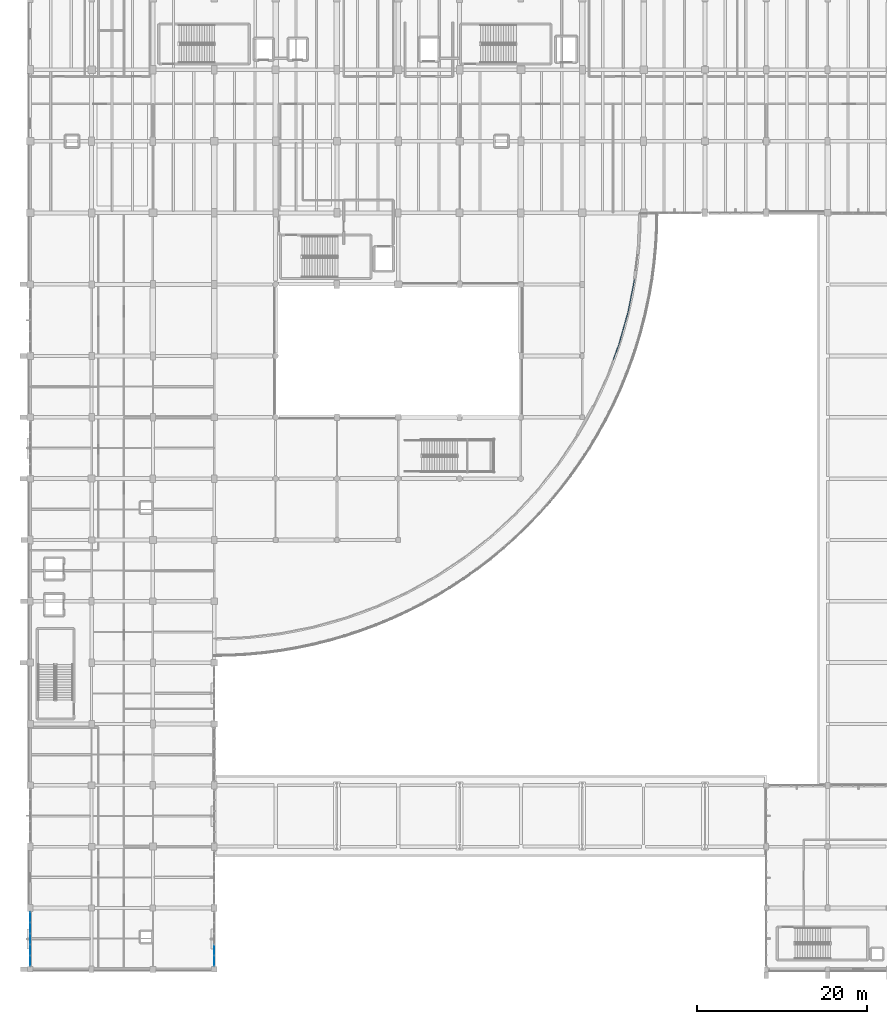
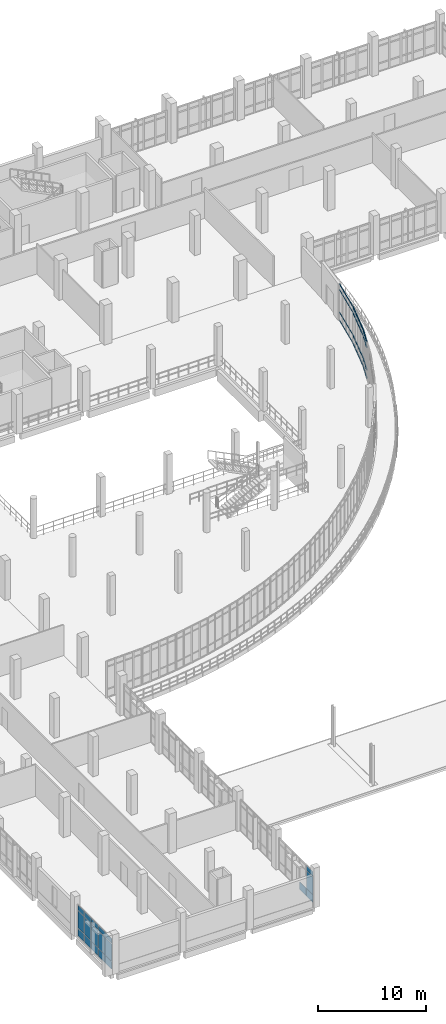
# One storey, part 91 of 134: 40 members, 19 plates, 5 elements without a shape of their own.
"""IFC4 building model written with IfcOpenShell, lengths in metres."""

from ifc_helpers import new_model, si_unit, direction, frame, origin, origin_2d, place, context, subcontext, project, spatial, rectangle, hollow_rectangle, extrude, material, layer, layer_set, material_profile, profile_set, type_object, element, aggregate, save


model = new_model("IFC4")

# Units and contexts
model_context = context("Model", 3, precision=1e-05, world=origin(), true_north=direction((0.0, 1.0)))
body_context = subcontext(model_context, "Body", "Model", "MODEL_VIEW")
ifc_project = project(units=[si_unit("LENGTHUNIT", "METRE"), si_unit("AREAUNIT", "SQUARE_METRE"), si_unit("VOLUMEUNIT", "CUBIC_METRE"), si_unit("PLANEANGLEUNIT", "RADIAN"), si_unit("MASSUNIT", "GRAM", prefix="KILO")], contexts=[model_context])

# Site, building, storey
site_placement = place(None, origin())
site = spatial("IfcSite", under=ifc_project, at=site_placement, CompositionType="ELEMENT")
building_placement = place(site_placement, origin())
building = spatial("IfcBuilding", under=site, at=building_placement, Name="Kalluvel Institute of Natural Sciences", CompositionType="ELEMENT")
storey_placement = place(building_placement, frame((0.0, 0.0, 5.39990234375)))
storey = spatial("IfcBuildingStorey", under=building, at=storey_placement, Name="L01", CompositionType="ELEMENT", Elevation=5.39990234375)

# Curtain wall, members
ifc_material_1 = material(Name="Aluminium AW-6063 T6", Category="aluminium")
curtain_wall_type_1 = type_object("IfcCurtainWallType", Name="CW-ATR-ARC", PredefinedType="USERDEFINED", material=ifc_material_1)
curtain_wall_1_placement = place(storey_placement, origin())
curtain_wall_1 = element("IfcCurtainWall", 1, at=curtain_wall_1_placement, inside=storey, type_object=curtain_wall_type_1, Name="L01 Gothic lancet curtain wall CWA-L01-X817-Y837", ObjectType="UNITISED LANCET FACADE", PredefinedType="USERDEFINED")
ifc_material_profile = material_profile(ifc_material_1, hollow_rectangle(XDim=0.06005859375, YDim=0.1201171875, WallThickness=0.00390625, at=origin_2d()), Name="CWT 60x120")
ifc_profile_set = profile_set([ifc_material_profile], Name="Aluminium AW-6063 T6")
member_type = type_object("IfcMemberType", Name="CWT-60x120", PredefinedType="USERDEFINED", material=ifc_profile_set)
member_1_placement = place(storey_placement, frame((82.43701171875, 85.552978515625, 0.030029296875), z_axis=(0.346147830649, 0.938179982379, 0.0), x_axis=(-0.938179982379, 0.346147830649, 0.0)))
member_1 = element("IfcMember", 2, at=member_1_placement, type_object=member_type, Name="CW-05 transom 3.1", ObjectType="TRANSOM", PredefinedType="USERDEFINED", context=body_context, shape_type="SweptSolid", body=[
    extrude(hollow_rectangle(XDim=0.06005859375, YDim=0.1201171875, WallThickness=0.00390625, at=origin_2d()), origin(), (0.0, 0.0, 1.0), 0.92041015625),
])
member_2_placement = place(storey_placement, frame((82.43701171875, 85.552978515625, 0.9501953125), z_axis=(0.346147830649, 0.938179982379, 0.0), x_axis=(-0.938179982379, 0.346147830649, 0.0)))
member_2 = element("IfcMember", 3, at=member_2_placement, type_object=member_type, Name="CW-05 transom 3.2", ObjectType="TRANSOM", PredefinedType="USERDEFINED", context=body_context, shape_type="SweptSolid", body=[
    extrude(hollow_rectangle(XDim=0.06005859375, YDim=0.1201171875, WallThickness=0.00390625, at=origin_2d()), origin(), (0.0, 0.0, 1.0), 0.92041015625),
])
member_3_placement = place(storey_placement, frame((82.43701171875, 85.552978515625, 3.5), z_axis=(0.346147830649, 0.938179982379, 0.0), x_axis=(-0.938179982379, 0.346147830649, 0.0)))
member_3 = element("IfcMember", 4, at=member_3_placement, type_object=member_type, Name="CW-05 transom 3.3", ObjectType="TRANSOM", PredefinedType="USERDEFINED", context=body_context, shape_type="SweptSolid", body=[
    extrude(hollow_rectangle(XDim=0.06005859375, YDim=0.1201171875, WallThickness=0.00390625, at=origin_2d()), origin(), (0.0, 0.0, 1.0), 0.92041015625),
])
member_4_placement = place(storey_placement, frame((82.43701171875, 85.552978515625, 4.1201171875), z_axis=(0.346147830649, 0.938179982379, 0.0), x_axis=(-0.938179982379, 0.346147830649, 0.0)))
member_4 = element("IfcMember", 5, at=member_4_placement, type_object=member_type, Name="CW-05 transom 3.4", ObjectType="TRANSOM", PredefinedType="USERDEFINED", context=body_context, shape_type="SweptSolid", body=[
    extrude(hollow_rectangle(XDim=0.06005859375, YDim=0.1201171875, WallThickness=0.00390625, at=origin_2d()), origin(), (0.0, 0.0, 1.0), 0.92041015625),
])
member_5_placement = place(storey_placement, frame((82.7763671875, 86.472900390625, 0.030029296875), z_axis=(0.346010277929, 0.938230721927, 0.0), x_axis=(-0.938230721927, 0.346010277929, 0.0)))
member_5 = element("IfcMember", 6, at=member_5_placement, type_object=member_type, Name="CW-05 transom 4.1", ObjectType="TRANSOM", PredefinedType="USERDEFINED", context=body_context, shape_type="SweptSolid", body=[
    extrude(hollow_rectangle(XDim=0.06005859375, YDim=0.1201171875, WallThickness=0.00390625, at=origin_2d()), origin(), (0.0, 0.0, 1.0), 0.890380859375),
])
member_6_placement = place(storey_placement, frame((82.7763671875, 86.472900390625, 0.9501953125), z_axis=(0.346010277929, 0.938230721927, 0.0), x_axis=(-0.938230721927, 0.346010277929, 0.0)))
member_6 = element("IfcMember", 7, at=member_6_placement, type_object=member_type, Name="CW-05 transom 4.2", ObjectType="TRANSOM", PredefinedType="USERDEFINED", context=body_context, shape_type="SweptSolid", body=[
    extrude(hollow_rectangle(XDim=0.06005859375, YDim=0.1201171875, WallThickness=0.00390625, at=origin_2d()), origin(), (0.0, 0.0, 1.0), 0.890380859375),
])
member_7_placement = place(storey_placement, frame((82.7763671875, 86.472900390625, 3.5), z_axis=(0.346010277929, 0.938230721927, 0.0), x_axis=(-0.938230721927, 0.346010277929, 0.0)))
member_7 = element("IfcMember", 8, at=member_7_placement, type_object=member_type, Name="CW-05 transom 4.3", ObjectType="TRANSOM", PredefinedType="USERDEFINED", context=body_context, shape_type="SweptSolid", body=[
    extrude(hollow_rectangle(XDim=0.06005859375, YDim=0.1201171875, WallThickness=0.00390625, at=origin_2d()), origin(), (0.0, 0.0, 1.0), 0.890380859375),
])
member_8_placement = place(storey_placement, frame((82.7763671875, 86.472900390625, 4.1201171875), z_axis=(0.346010277929, 0.938230721927, 0.0), x_axis=(-0.938230721927, 0.346010277929, 0.0)))
member_8 = element("IfcMember", 9, at=member_8_placement, type_object=member_type, Name="CW-05 transom 4.4", ObjectType="TRANSOM", PredefinedType="USERDEFINED", context=body_context, shape_type="SweptSolid", body=[
    extrude(hollow_rectangle(XDim=0.06005859375, YDim=0.1201171875, WallThickness=0.00390625, at=origin_2d()), origin(), (0.0, 0.0, 1.0), 0.890380859375),
])
aggregate(curtain_wall_1, [member_1, member_2, member_3, member_4, member_5, member_6, member_7, member_8])

curtain_wall_2_placement = place(storey_placement, origin())
curtain_wall_2 = element("IfcCurtainWall", 10, at=curtain_wall_2_placement, inside=storey, type_object=curtain_wall_type_1, Name="L01 Gothic lancet curtain wall CWA-L01-X831-Y874", ObjectType="UNITISED LANCET FACADE", PredefinedType="USERDEFINED")
member_9_placement = place(storey_placement, frame((83.12158203125, 87.42236328125, 0.030029296875), z_axis=(0.271388543258, 0.96246987412, 0.0), x_axis=(-0.96246987412, 0.271388543258, 0.0)))
member_9 = element("IfcMember", 11, at=member_9_placement, type_object=member_type, Name="CW-05 transom 1.1", ObjectType="TRANSOM", PredefinedType="USERDEFINED", context=body_context, shape_type="SweptSolid", body=[
    extrude(hollow_rectangle(XDim=0.06005859375, YDim=0.1201171875, WallThickness=0.00390625, at=origin_2d()), origin(), (0.0, 0.0, 1.0), 0.890625),
])
member_10_placement = place(storey_placement, frame((83.12158203125, 87.42236328125, 0.9501953125), z_axis=(0.271388543258, 0.96246987412, 0.0), x_axis=(-0.96246987412, 0.271388543258, 0.0)))
member_10 = element("IfcMember", 12, at=member_10_placement, type_object=member_type, Name="CW-05 transom 1.2", ObjectType="TRANSOM", PredefinedType="USERDEFINED", context=body_context, shape_type="SweptSolid", body=[
    extrude(hollow_rectangle(XDim=0.06005859375, YDim=0.1201171875, WallThickness=0.00390625, at=origin_2d()), origin(), (0.0, 0.0, 1.0), 0.890625),
])
member_11_placement = place(storey_placement, frame((83.12158203125, 87.42236328125, 3.5), z_axis=(0.271388543258, 0.96246987412, 0.0), x_axis=(-0.96246987412, 0.271388543258, 0.0)))
member_11 = element("IfcMember", 13, at=member_11_placement, type_object=member_type, Name="CW-05 transom 1.3", ObjectType="TRANSOM", PredefinedType="USERDEFINED", context=body_context, shape_type="SweptSolid", body=[
    extrude(hollow_rectangle(XDim=0.06005859375, YDim=0.1201171875, WallThickness=0.00390625, at=origin_2d()), origin(), (0.0, 0.0, 1.0), 0.890625),
])
member_12_placement = place(storey_placement, frame((83.12158203125, 87.42236328125, 4.1201171875), z_axis=(0.271388543258, 0.96246987412, 0.0), x_axis=(-0.96246987412, 0.271388543258, 0.0)))
member_12 = element("IfcMember", 14, at=member_12_placement, type_object=member_type, Name="CW-05 transom 1.4", ObjectType="TRANSOM", PredefinedType="USERDEFINED", context=body_context, shape_type="SweptSolid", body=[
    extrude(hollow_rectangle(XDim=0.06005859375, YDim=0.1201171875, WallThickness=0.00390625, at=origin_2d()), origin(), (0.0, 0.0, 1.0), 0.890625),
])
member_13_placement = place(storey_placement, frame((83.379638671875, 88.337158203125, 0.030029296875), z_axis=(0.2713215751, 0.96248875468, 0.0), x_axis=(-0.96248875468, 0.2713215751, 0.0)))
member_13 = element("IfcMember", 15, at=member_13_placement, type_object=member_type, Name="CW-05 transom 2.1", ObjectType="TRANSOM", PredefinedType="USERDEFINED", context=body_context, shape_type="SweptSolid", body=[
    extrude(hollow_rectangle(XDim=0.06005859375, YDim=0.1201171875, WallThickness=0.00390625, at=origin_2d()), origin(), (0.0, 0.0, 1.0), 0.92041015625),
])
member_14_placement = place(storey_placement, frame((83.379638671875, 88.337158203125, 0.9501953125), z_axis=(0.2713215751, 0.96248875468, 0.0), x_axis=(-0.96248875468, 0.2713215751, 0.0)))
member_14 = element("IfcMember", 16, at=member_14_placement, type_object=member_type, Name="CW-05 transom 2.2", ObjectType="TRANSOM", PredefinedType="USERDEFINED", context=body_context, shape_type="SweptSolid", body=[
    extrude(hollow_rectangle(XDim=0.06005859375, YDim=0.1201171875, WallThickness=0.00390625, at=origin_2d()), origin(), (0.0, 0.0, 1.0), 0.92041015625),
])
member_15_placement = place(storey_placement, frame((83.379638671875, 88.337158203125, 3.5), z_axis=(0.2713215751, 0.96248875468, 0.0), x_axis=(-0.96248875468, 0.2713215751, 0.0)))
member_15 = element("IfcMember", 17, at=member_15_placement, type_object=member_type, Name="CW-05 transom 2.3", ObjectType="TRANSOM", PredefinedType="USERDEFINED", context=body_context, shape_type="SweptSolid", body=[
    extrude(hollow_rectangle(XDim=0.06005859375, YDim=0.1201171875, WallThickness=0.00390625, at=origin_2d()), origin(), (0.0, 0.0, 1.0), 0.92041015625),
])
member_16_placement = place(storey_placement, frame((83.379638671875, 88.337158203125, 4.1201171875), z_axis=(0.2713215751, 0.96248875468, 0.0), x_axis=(-0.96248875468, 0.2713215751, 0.0)))
member_16 = element("IfcMember", 18, at=member_16_placement, type_object=member_type, Name="CW-05 transom 2.4", ObjectType="TRANSOM", PredefinedType="USERDEFINED", context=body_context, shape_type="SweptSolid", body=[
    extrude(hollow_rectangle(XDim=0.06005859375, YDim=0.1201171875, WallThickness=0.00390625, at=origin_2d()), origin(), (0.0, 0.0, 1.0), 0.92041015625),
])
member_17_placement = place(storey_placement, frame((83.645751953125, 89.28076171875, 0.030029296875), z_axis=(0.2713215751, 0.96248875468, 0.0), x_axis=(-0.96248875468, 0.2713215751, 0.0)))
member_17 = element("IfcMember", 19, at=member_17_placement, type_object=member_type, Name="CW-05 transom 3.1", ObjectType="TRANSOM", PredefinedType="USERDEFINED", context=body_context, shape_type="SweptSolid", body=[
    extrude(hollow_rectangle(XDim=0.06005859375, YDim=0.1201171875, WallThickness=0.00390625, at=origin_2d()), origin(), (0.0, 0.0, 1.0), 0.92041015625),
])
member_18_placement = place(storey_placement, frame((83.645751953125, 89.28076171875, 0.9501953125), z_axis=(0.2713215751, 0.96248875468, 0.0), x_axis=(-0.96248875468, 0.2713215751, 0.0)))
member_18 = element("IfcMember", 20, at=member_18_placement, type_object=member_type, Name="CW-05 transom 3.2", ObjectType="TRANSOM", PredefinedType="USERDEFINED", context=body_context, shape_type="SweptSolid", body=[
    extrude(hollow_rectangle(XDim=0.06005859375, YDim=0.1201171875, WallThickness=0.00390625, at=origin_2d()), origin(), (0.0, 0.0, 1.0), 0.92041015625),
])
member_19_placement = place(storey_placement, frame((83.645751953125, 89.28076171875, 3.5), z_axis=(0.2713215751, 0.96248875468, 0.0), x_axis=(-0.96248875468, 0.2713215751, 0.0)))
member_19 = element("IfcMember", 21, at=member_19_placement, type_object=member_type, Name="CW-05 transom 3.3", ObjectType="TRANSOM", PredefinedType="USERDEFINED", context=body_context, shape_type="SweptSolid", body=[
    extrude(hollow_rectangle(XDim=0.06005859375, YDim=0.1201171875, WallThickness=0.00390625, at=origin_2d()), origin(), (0.0, 0.0, 1.0), 0.92041015625),
])
member_20_placement = place(storey_placement, frame((83.645751953125, 89.28076171875, 4.1201171875), z_axis=(0.2713215751, 0.96248875468, 0.0), x_axis=(-0.96248875468, 0.2713215751, 0.0)))
member_20 = element("IfcMember", 22, at=member_20_placement, type_object=member_type, Name="CW-05 transom 3.4", ObjectType="TRANSOM", PredefinedType="USERDEFINED", context=body_context, shape_type="SweptSolid", body=[
    extrude(hollow_rectangle(XDim=0.06005859375, YDim=0.1201171875, WallThickness=0.00390625, at=origin_2d()), origin(), (0.0, 0.0, 1.0), 0.92041015625),
])
member_21_placement = place(storey_placement, frame((83.911865234375, 90.224609375, 0.030029296875), z_axis=(0.271460165022, 0.962449675986, 0.0), x_axis=(-0.962449675986, 0.271460165022, 0.0)))
member_21 = element("IfcMember", 23, at=member_21_placement, type_object=member_type, Name="CW-05 transom 4.1", ObjectType="TRANSOM", PredefinedType="USERDEFINED", context=body_context, shape_type="SweptSolid", body=[
    extrude(hollow_rectangle(XDim=0.06005859375, YDim=0.1201171875, WallThickness=0.00390625, at=origin_2d()), origin(), (0.0, 0.0, 1.0), 0.890380859375),
])
member_22_placement = place(storey_placement, frame((83.911865234375, 90.224609375, 0.9501953125), z_axis=(0.271460165022, 0.962449675986, 0.0), x_axis=(-0.962449675986, 0.271460165022, 0.0)))
member_22 = element("IfcMember", 24, at=member_22_placement, type_object=member_type, Name="CW-05 transom 4.2", ObjectType="TRANSOM", PredefinedType="USERDEFINED", context=body_context, shape_type="SweptSolid", body=[
    extrude(hollow_rectangle(XDim=0.06005859375, YDim=0.1201171875, WallThickness=0.00390625, at=origin_2d()), origin(), (0.0, 0.0, 1.0), 0.890380859375),
])
member_23_placement = place(storey_placement, frame((83.911865234375, 90.224609375, 3.5), z_axis=(0.271460165022, 0.962449675986, 0.0), x_axis=(-0.962449675986, 0.271460165022, 0.0)))
member_23 = element("IfcMember", 25, at=member_23_placement, type_object=member_type, Name="CW-05 transom 4.3", ObjectType="TRANSOM", PredefinedType="USERDEFINED", context=body_context, shape_type="SweptSolid", body=[
    extrude(hollow_rectangle(XDim=0.06005859375, YDim=0.1201171875, WallThickness=0.00390625, at=origin_2d()), origin(), (0.0, 0.0, 1.0), 0.890380859375),
])
member_24_placement = place(storey_placement, frame((83.911865234375, 90.224609375, 4.1201171875), z_axis=(0.271460165022, 0.962449675986, 0.0), x_axis=(-0.962449675986, 0.271460165022, 0.0)))
member_24 = element("IfcMember", 26, at=member_24_placement, type_object=member_type, Name="CW-05 transom 4.4", ObjectType="TRANSOM", PredefinedType="USERDEFINED", context=body_context, shape_type="SweptSolid", body=[
    extrude(hollow_rectangle(XDim=0.06005859375, YDim=0.1201171875, WallThickness=0.00390625, at=origin_2d()), origin(), (0.0, 0.0, 1.0), 0.890380859375),
])
aggregate(curtain_wall_2, [member_9, member_10, member_11, member_12, member_13, member_14, member_15, member_16, member_17, member_18, member_19, member_20, member_21, member_22, member_23, member_24])

curtain_wall_3_placement = place(storey_placement, origin())
curtain_wall_3 = element("IfcCurtainWall", 27, at=curtain_wall_3_placement, inside=storey, type_object=curtain_wall_type_1, Name="L01 Gothic lancet curtain wall CWA-L01-X842-Y911", ObjectType="UNITISED LANCET FACADE", PredefinedType="USERDEFINED")
member_25_placement = place(storey_placement, frame((84.181640625, 91.1982421875, 0.030029296875), z_axis=(0.194955922623, 0.980812004532, 0.0), x_axis=(-0.980812004532, 0.194955922623, 0.0)))
member_25 = element("IfcMember", 28, at=member_25_placement, type_object=member_type, Name="CW-05 transom 1.1", ObjectType="TRANSOM", PredefinedType="USERDEFINED", context=body_context, shape_type="SweptSolid", body=[
    extrude(hollow_rectangle(XDim=0.06005859375, YDim=0.1201171875, WallThickness=0.00390625, at=origin_2d()), origin(), (0.0, 0.0, 1.0), 0.890380859375),
])
member_26_placement = place(storey_placement, frame((84.181640625, 91.1982421875, 0.9501953125), z_axis=(0.194955922623, 0.980812004532, 0.0), x_axis=(-0.980812004532, 0.194955922623, 0.0)))
member_26 = element("IfcMember", 29, at=member_26_placement, type_object=member_type, Name="CW-05 transom 1.2", ObjectType="TRANSOM", PredefinedType="USERDEFINED", context=body_context, shape_type="SweptSolid", body=[
    extrude(hollow_rectangle(XDim=0.06005859375, YDim=0.1201171875, WallThickness=0.00390625, at=origin_2d()), origin(), (0.0, 0.0, 1.0), 0.890380859375),
])
member_27_placement = place(storey_placement, frame((84.181640625, 91.1982421875, 3.5), z_axis=(0.194955922623, 0.980812004532, 0.0), x_axis=(-0.980812004532, 0.194955922623, 0.0)))
member_27 = element("IfcMember", 30, at=member_27_placement, type_object=member_type, Name="CW-05 transom 1.3", ObjectType="TRANSOM", PredefinedType="USERDEFINED", context=body_context, shape_type="SweptSolid", body=[
    extrude(hollow_rectangle(XDim=0.06005859375, YDim=0.1201171875, WallThickness=0.00390625, at=origin_2d()), origin(), (0.0, 0.0, 1.0), 0.890380859375),
])
member_28_placement = place(storey_placement, frame((84.181640625, 91.1982421875, 4.1201171875), z_axis=(0.194955922623, 0.980812004532, 0.0), x_axis=(-0.980812004532, 0.194955922623, 0.0)))
member_28 = element("IfcMember", 31, at=member_28_placement, type_object=member_type, Name="CW-05 transom 1.4", ObjectType="TRANSOM", PredefinedType="USERDEFINED", context=body_context, shape_type="SweptSolid", body=[
    extrude(hollow_rectangle(XDim=0.06005859375, YDim=0.1201171875, WallThickness=0.00390625, at=origin_2d()), origin(), (0.0, 0.0, 1.0), 0.890380859375),
])
member_29_placement = place(storey_placement, frame((84.366943359375, 92.130615234375, 0.030029296875), z_axis=(0.195197998401, 0.980763856094, 0.0), x_axis=(-0.980763856094, 0.195197998401, 0.0)))
member_29 = element("IfcMember", 32, at=member_29_placement, type_object=member_type, Name="CW-05 transom 2.1", ObjectType="TRANSOM", PredefinedType="USERDEFINED", context=body_context, shape_type="SweptSolid", body=[
    extrude(hollow_rectangle(XDim=0.06005859375, YDim=0.1201171875, WallThickness=0.00390625, at=origin_2d()), origin(), (0.0, 0.0, 1.0), 0.920654296875),
])
member_30_placement = place(storey_placement, frame((84.366943359375, 92.130615234375, 0.9501953125), z_axis=(0.195197998401, 0.980763856094, 0.0), x_axis=(-0.980763856094, 0.195197998401, 0.0)))
member_30 = element("IfcMember", 33, at=member_30_placement, type_object=member_type, Name="CW-05 transom 2.2", ObjectType="TRANSOM", PredefinedType="USERDEFINED", context=body_context, shape_type="SweptSolid", body=[
    extrude(hollow_rectangle(XDim=0.06005859375, YDim=0.1201171875, WallThickness=0.00390625, at=origin_2d()), origin(), (0.0, 0.0, 1.0), 0.920654296875),
])
member_31_placement = place(storey_placement, frame((84.366943359375, 92.130615234375, 3.5), z_axis=(0.195197998401, 0.980763856094, 0.0), x_axis=(-0.980763856094, 0.195197998401, 0.0)))
member_31 = element("IfcMember", 34, at=member_31_placement, type_object=member_type, Name="CW-05 transom 2.3", ObjectType="TRANSOM", PredefinedType="USERDEFINED", context=body_context, shape_type="SweptSolid", body=[
    extrude(hollow_rectangle(XDim=0.06005859375, YDim=0.1201171875, WallThickness=0.00390625, at=origin_2d()), origin(), (0.0, 0.0, 1.0), 0.920654296875),
])
member_32_placement = place(storey_placement, frame((84.366943359375, 92.130615234375, 4.1201171875), z_axis=(0.195197998401, 0.980763856094, 0.0), x_axis=(-0.980763856094, 0.195197998401, 0.0)))
member_32 = element("IfcMember", 35, at=member_32_placement, type_object=member_type, Name="CW-05 transom 2.4", ObjectType="TRANSOM", PredefinedType="USERDEFINED", context=body_context, shape_type="SweptSolid", body=[
    extrude(hollow_rectangle(XDim=0.06005859375, YDim=0.1201171875, WallThickness=0.00390625, at=origin_2d()), origin(), (0.0, 0.0, 1.0), 0.920654296875),
])
member_33_placement = place(storey_placement, frame((84.558349609375, 93.09228515625, 0.030029296875), z_axis=(0.194942869204, 0.980814599069, 0.0), x_axis=(-0.980814599069, 0.194942869204, 0.0)))
member_33 = element("IfcMember", 36, at=member_33_placement, type_object=member_type, Name="CW-05 transom 3.1", ObjectType="TRANSOM", PredefinedType="USERDEFINED", context=body_context, shape_type="SweptSolid", body=[
    extrude(hollow_rectangle(XDim=0.06005859375, YDim=0.1201171875, WallThickness=0.00390625, at=origin_2d()), origin(), (0.0, 0.0, 1.0), 0.92041015625),
])
member_34_placement = place(storey_placement, frame((84.558349609375, 93.09228515625, 0.9501953125), z_axis=(0.194942869204, 0.980814599069, 0.0), x_axis=(-0.980814599069, 0.194942869204, 0.0)))
member_34 = element("IfcMember", 37, at=member_34_placement, type_object=member_type, Name="CW-05 transom 3.2", ObjectType="TRANSOM", PredefinedType="USERDEFINED", context=body_context, shape_type="SweptSolid", body=[
    extrude(hollow_rectangle(XDim=0.06005859375, YDim=0.1201171875, WallThickness=0.00390625, at=origin_2d()), origin(), (0.0, 0.0, 1.0), 0.92041015625),
])
member_35_placement = place(storey_placement, frame((84.558349609375, 93.09228515625, 3.5), z_axis=(0.194942869204, 0.980814599069, 0.0), x_axis=(-0.980814599069, 0.194942869204, 0.0)))
member_35 = element("IfcMember", 38, at=member_35_placement, type_object=member_type, Name="CW-05 transom 3.3", ObjectType="TRANSOM", PredefinedType="USERDEFINED", context=body_context, shape_type="SweptSolid", body=[
    extrude(hollow_rectangle(XDim=0.06005859375, YDim=0.1201171875, WallThickness=0.00390625, at=origin_2d()), origin(), (0.0, 0.0, 1.0), 0.92041015625),
])
member_36_placement = place(storey_placement, frame((84.558349609375, 93.09228515625, 4.1201171875), z_axis=(0.194942869204, 0.980814599069, 0.0), x_axis=(-0.980814599069, 0.194942869204, 0.0)))
member_36 = element("IfcMember", 39, at=member_36_placement, type_object=member_type, Name="CW-05 transom 3.4", ObjectType="TRANSOM", PredefinedType="USERDEFINED", context=body_context, shape_type="SweptSolid", body=[
    extrude(hollow_rectangle(XDim=0.06005859375, YDim=0.1201171875, WallThickness=0.00390625, at=origin_2d()), origin(), (0.0, 0.0, 1.0), 0.92041015625),
])
member_37_placement = place(storey_placement, frame((84.74951171875, 94.053955078125, 0.030029296875), z_axis=(0.195219679347, 0.980759540762, 0.0), x_axis=(-0.980759540762, 0.195219679347, 0.0)))
member_37 = element("IfcMember", 40, at=member_37_placement, type_object=member_type, Name="CW-05 transom 4.1", ObjectType="TRANSOM", PredefinedType="USERDEFINED", context=body_context, shape_type="SweptSolid", body=[
    extrude(hollow_rectangle(XDim=0.06005859375, YDim=0.1201171875, WallThickness=0.00390625, at=origin_2d()), origin(), (0.0, 0.0, 1.0), 0.890380859375),
])
member_38_placement = place(storey_placement, frame((84.74951171875, 94.053955078125, 0.9501953125), z_axis=(0.195219679347, 0.980759540762, 0.0), x_axis=(-0.980759540762, 0.195219679347, 0.0)))
member_38 = element("IfcMember", 41, at=member_38_placement, type_object=member_type, Name="CW-05 transom 4.2", ObjectType="TRANSOM", PredefinedType="USERDEFINED", context=body_context, shape_type="SweptSolid", body=[
    extrude(hollow_rectangle(XDim=0.06005859375, YDim=0.1201171875, WallThickness=0.00390625, at=origin_2d()), origin(), (0.0, 0.0, 1.0), 0.890380859375),
])
member_39_placement = place(storey_placement, frame((84.74951171875, 94.053955078125, 3.5), z_axis=(0.195219679347, 0.980759540762, 0.0), x_axis=(-0.980759540762, 0.195219679347, 0.0)))
member_39 = element("IfcMember", 42, at=member_39_placement, type_object=member_type, Name="CW-05 transom 4.3", ObjectType="TRANSOM", PredefinedType="USERDEFINED", context=body_context, shape_type="SweptSolid", body=[
    extrude(hollow_rectangle(XDim=0.06005859375, YDim=0.1201171875, WallThickness=0.00390625, at=origin_2d()), origin(), (0.0, 0.0, 1.0), 0.890380859375),
])
member_40_placement = place(storey_placement, frame((84.74951171875, 94.053955078125, 4.1201171875), z_axis=(0.195219679347, 0.980759540762, 0.0), x_axis=(-0.980759540762, 0.195219679347, 0.0)))
member_40 = element("IfcMember", 43, at=member_40_placement, type_object=member_type, Name="CW-05 transom 4.4", ObjectType="TRANSOM", PredefinedType="USERDEFINED", context=body_context, shape_type="SweptSolid", body=[
    extrude(hollow_rectangle(XDim=0.06005859375, YDim=0.1201171875, WallThickness=0.00390625, at=origin_2d()), origin(), (0.0, 0.0, 1.0), 0.890380859375),
])
aggregate(curtain_wall_3, [member_25, member_26, member_27, member_28, member_29, member_30, member_31, member_32, member_33, member_34, member_35, member_36, member_37, member_38, member_39, member_40])

# Curtain wall, plates
curtain_wall_type_2 = type_object("IfcCurtainWallType", Name="CW-DRY-45", PredefinedType="USERDEFINED", material=ifc_material_1)
curtain_wall_4_placement = place(storey_placement, origin())
curtain_wall_4 = element("IfcCurtainWall", 44, at=curtain_wall_4_placement, inside=storey, type_object=curtain_wall_type_2, Name="L01 Gothic lancet curtain wall CWA-L01-X140-Y144", ObjectType="UNITISED LANCET FACADE", PredefinedType="USERDEFINED")
ifc_material_2 = material(Name="Solar-Control Low-E Laminated Glass", Category="glass")
ifc_layer = layer(ifc_material_2, 0.031982421875)
ifc_layer_set = layer_set([ifc_layer], Name="Solar-Control Low-E Laminated Glass")
plate_type = type_object("IfcPlateType", Name="CWP-DGU-32", PredefinedType="CURTAIN_PANEL", material=ifc_layer_set)
plate_1_placement = place(storey_placement, frame((14.0, 15.02880859375, 0.065185546875), z_axis=(0.0, 0.0, 1.0), x_axis=(0.0, 1.0, 0.0)))
plate_1 = element("IfcPlate", 45, at=plate_1_placement, type_object=plate_type, Name="CW-03 panel 1.1", PredefinedType="CURTAIN_PANEL", context=body_context, shape_type="SweptSolid", body=[
    extrude(rectangle(XDim=1.177490234375, YDim=0.031982421875, at=origin_2d()), origin(), (0.0, 0.0, 1.0), 0.8525390625),
])
plate_2_placement = place(storey_placement, frame((14.0, 15.02880859375, 0.982666015625), z_axis=(0.0, 0.0, 1.0), x_axis=(0.0, 1.0, 0.0)))
plate_2 = element("IfcPlate", 46, at=plate_2_placement, type_object=plate_type, Name="CW-03 panel 1.2", PredefinedType="CURTAIN_PANEL", context=body_context, shape_type="SweptSolid", body=[
    extrude(rectangle(XDim=1.177490234375, YDim=0.031982421875, at=origin_2d()), origin(), (0.0, 0.0, 1.0), 1.955078125),
])
plate_3_placement = place(storey_placement, frame((14.0, 15.02880859375, 3.00244140625), z_axis=(0.0, 0.0, 1.0), x_axis=(0.0, 1.0, 0.0)))
plate_3 = element("IfcPlate", 47, at=plate_3_placement, type_object=plate_type, Name="CW-03 panel 1.3", PredefinedType="CURTAIN_PANEL", context=body_context, shape_type="SweptSolid", body=[
    extrude(rectangle(XDim=1.177490234375, YDim=0.031982421875, at=origin_2d()), origin(), (0.0, 0.0, 1.0), 0.552490234375),
])
plate_4_placement = place(storey_placement, frame((14.0, 16.28759765625, 0.065185546875), z_axis=(0.0, 0.0, 1.0), x_axis=(0.0, 1.0, 0.0)))
plate_4 = element("IfcPlate", 48, at=plate_4_placement, type_object=plate_type, Name="CW-03 panel 2.1", PredefinedType="CURTAIN_PANEL", context=body_context, shape_type="SweptSolid", body=[
    extrude(rectangle(XDim=1.2099609375, YDim=0.031982421875, at=origin_2d()), origin(), (0.0, 0.0, 1.0), 0.8525390625),
])
plate_5_placement = place(storey_placement, frame((14.0, 16.28759765625, 0.982666015625), z_axis=(0.0, 0.0, 1.0), x_axis=(0.0, 1.0, 0.0)))
plate_5 = element("IfcPlate", 49, at=plate_5_placement, type_object=plate_type, Name="CW-03 panel 2.2", PredefinedType="CURTAIN_PANEL", context=body_context, shape_type="SweptSolid", body=[
    extrude(rectangle(XDim=1.2099609375, YDim=0.031982421875, at=origin_2d()), origin(), (0.0, 0.0, 1.0), 1.955078125),
])
plate_6_placement = place(storey_placement, frame((14.0, 16.28759765625, 3.00244140625), z_axis=(0.0, 0.0, 1.0), x_axis=(0.0, 1.0, 0.0)))
plate_6 = element("IfcPlate", 50, at=plate_6_placement, type_object=plate_type, Name="CW-03 panel 2.3", PredefinedType="CURTAIN_PANEL", context=body_context, shape_type="SweptSolid", body=[
    extrude(rectangle(XDim=1.2099609375, YDim=0.031982421875, at=origin_2d()), origin(), (0.0, 0.0, 1.0), 0.552490234375),
])
plate_7_placement = place(storey_placement, frame((14.0, 17.5625, 0.065185546875), z_axis=(0.0, 0.0, 1.0), x_axis=(0.0, 1.0, 0.0)))
plate_7 = element("IfcPlate", 51, at=plate_7_placement, type_object=plate_type, Name="CW-03 panel 3.1", PredefinedType="CURTAIN_PANEL", context=body_context, shape_type="SweptSolid", body=[
    extrude(rectangle(XDim=1.2099609375, YDim=0.031982421875, at=origin_2d()), origin(), (0.0, 0.0, 1.0), 0.8525390625),
])
plate_8_placement = place(storey_placement, frame((14.0, 17.5625, 0.982666015625), z_axis=(0.0, 0.0, 1.0), x_axis=(0.0, 1.0, 0.0)))
plate_8 = element("IfcPlate", 52, at=plate_8_placement, type_object=plate_type, Name="CW-03 panel 3.2", PredefinedType="CURTAIN_PANEL", context=body_context, shape_type="SweptSolid", body=[
    extrude(rectangle(XDim=1.2099609375, YDim=0.031982421875, at=origin_2d()), origin(), (0.0, 0.0, 1.0), 1.955078125),
])
plate_9_placement = place(storey_placement, frame((14.0, 17.5625, 3.00244140625), z_axis=(0.0, 0.0, 1.0), x_axis=(0.0, 1.0, 0.0)))
plate_9 = element("IfcPlate", 53, at=plate_9_placement, type_object=plate_type, Name="CW-03 panel 3.3", PredefinedType="CURTAIN_PANEL", context=body_context, shape_type="SweptSolid", body=[
    extrude(rectangle(XDim=1.2099609375, YDim=0.031982421875, at=origin_2d()), origin(), (0.0, 0.0, 1.0), 0.552490234375),
])
plate_10_placement = place(storey_placement, frame((14.0, 18.83740234375, 0.065185546875), z_axis=(0.0, 0.0, 1.0), x_axis=(0.0, 1.0, 0.0)))
plate_10 = element("IfcPlate", 54, at=plate_10_placement, type_object=plate_type, Name="CW-03 panel 4.1", PredefinedType="CURTAIN_PANEL", context=body_context, shape_type="SweptSolid", body=[
    extrude(rectangle(XDim=1.2099609375, YDim=0.031982421875, at=origin_2d()), origin(), (0.0, 0.0, 1.0), 0.8525390625),
])
plate_11_placement = place(storey_placement, frame((14.0, 18.83740234375, 0.982666015625), z_axis=(0.0, 0.0, 1.0), x_axis=(0.0, 1.0, 0.0)))
plate_11 = element("IfcPlate", 55, at=plate_11_placement, type_object=plate_type, Name="CW-03 panel 4.2", PredefinedType="CURTAIN_PANEL", context=body_context, shape_type="SweptSolid", body=[
    extrude(rectangle(XDim=1.2099609375, YDim=0.031982421875, at=origin_2d()), origin(), (0.0, 0.0, 1.0), 1.955078125),
])
plate_12_placement = place(storey_placement, frame((14.0, 18.83740234375, 3.00244140625), z_axis=(0.0, 0.0, 1.0), x_axis=(0.0, 1.0, 0.0)))
plate_12 = element("IfcPlate", 56, at=plate_12_placement, type_object=plate_type, Name="CW-03 panel 4.3", PredefinedType="CURTAIN_PANEL", context=body_context, shape_type="SweptSolid", body=[
    extrude(rectangle(XDim=1.2099609375, YDim=0.031982421875, at=origin_2d()), origin(), (0.0, 0.0, 1.0), 0.552490234375),
])
plate_13_placement = place(storey_placement, frame((14.0, 20.09619140625, 0.065185546875), z_axis=(0.0, 0.0, 1.0), x_axis=(0.0, 1.0, 0.0)))
plate_13 = element("IfcPlate", 57, at=plate_13_placement, type_object=plate_type, Name="CW-03 panel 5.1", PredefinedType="CURTAIN_PANEL", context=body_context, shape_type="SweptSolid", body=[
    extrude(rectangle(XDim=1.177490234375, YDim=0.031982421875, at=origin_2d()), origin(), (0.0, 0.0, 1.0), 0.8525390625),
])
plate_14_placement = place(storey_placement, frame((14.0, 20.09619140625, 0.982666015625), z_axis=(0.0, 0.0, 1.0), x_axis=(0.0, 1.0, 0.0)))
plate_14 = element("IfcPlate", 58, at=plate_14_placement, type_object=plate_type, Name="CW-03 panel 5.2", PredefinedType="CURTAIN_PANEL", context=body_context, shape_type="SweptSolid", body=[
    extrude(rectangle(XDim=1.177490234375, YDim=0.031982421875, at=origin_2d()), origin(), (0.0, 0.0, 1.0), 1.955078125),
])
plate_15_placement = place(storey_placement, frame((14.0, 20.09619140625, 3.00244140625), z_axis=(0.0, 0.0, 1.0), x_axis=(0.0, 1.0, 0.0)))
plate_15 = element("IfcPlate", 59, at=plate_15_placement, type_object=plate_type, Name="CW-03 panel 5.3", PredefinedType="CURTAIN_PANEL", context=body_context, shape_type="SweptSolid", body=[
    extrude(rectangle(XDim=1.177490234375, YDim=0.031982421875, at=origin_2d()), origin(), (0.0, 0.0, 1.0), 0.552490234375),
])
aggregate(curtain_wall_4, [plate_1, plate_2, plate_3, plate_4, plate_5, plate_6, plate_7, plate_8, plate_9, plate_10, plate_11, plate_12, plate_13, plate_14, plate_15])

curtain_wall_5_placement = place(storey_placement, origin())
curtain_wall_5 = element("IfcCurtainWall", 60, at=curtain_wall_5_placement, inside=storey, type_object=curtain_wall_type_2, Name="L01 Gothic lancet curtain wall CWA-L01-X356-Y144", ObjectType="UNITISED LANCET FACADE", PredefinedType="USERDEFINED")
plate_16_placement = place(storey_placement, frame((35.60009765625, 15.02880859375, 0.065185546875), z_axis=(0.0, 0.0, 1.0), x_axis=(0.0, 1.0, 0.0)))
plate_16 = element("IfcPlate", 61, at=plate_16_placement, type_object=plate_type, Name="CW-03 panel 1.1", PredefinedType="CURTAIN_PANEL", context=body_context, shape_type="SweptSolid", body=[
    extrude(rectangle(XDim=1.177490234375, YDim=0.031982421875, at=origin_2d()), origin(), (0.0, 0.0, 1.0), 0.8525390625),
])
plate_17_placement = place(storey_placement, frame((35.60009765625, 15.02880859375, 0.982666015625), z_axis=(0.0, 0.0, 1.0), x_axis=(0.0, 1.0, 0.0)))
plate_17 = element("IfcPlate", 62, at=plate_17_placement, type_object=plate_type, Name="CW-03 panel 1.2", PredefinedType="CURTAIN_PANEL", context=body_context, shape_type="SweptSolid", body=[
    extrude(rectangle(XDim=1.177490234375, YDim=0.031982421875, at=origin_2d()), origin(), (0.0, 0.0, 1.0), 1.955078125),
])
plate_18_placement = place(storey_placement, frame((35.60009765625, 15.02880859375, 3.00244140625), z_axis=(0.0, 0.0, 1.0), x_axis=(0.0, 1.0, 0.0)))
plate_18 = element("IfcPlate", 63, at=plate_18_placement, type_object=plate_type, Name="CW-03 panel 1.3", PredefinedType="CURTAIN_PANEL", context=body_context, shape_type="SweptSolid", body=[
    extrude(rectangle(XDim=1.177490234375, YDim=0.031982421875, at=origin_2d()), origin(), (0.0, 0.0, 1.0), 0.552490234375),
])
plate_19_placement = place(storey_placement, frame((35.60009765625, 16.28759765625, 0.065185546875), z_axis=(0.0, 0.0, 1.0), x_axis=(0.0, 1.0, 0.0)))
plate_19 = element("IfcPlate", 64, at=plate_19_placement, type_object=plate_type, Name="CW-03 panel 2.1", PredefinedType="CURTAIN_PANEL", context=body_context, shape_type="SweptSolid", body=[
    extrude(rectangle(XDim=1.2099609375, YDim=0.031982421875, at=origin_2d()), origin(), (0.0, 0.0, 1.0), 0.8525390625),
])
aggregate(curtain_wall_5, [plate_16, plate_17, plate_18, plate_19])

save(model, "model.ifc")
